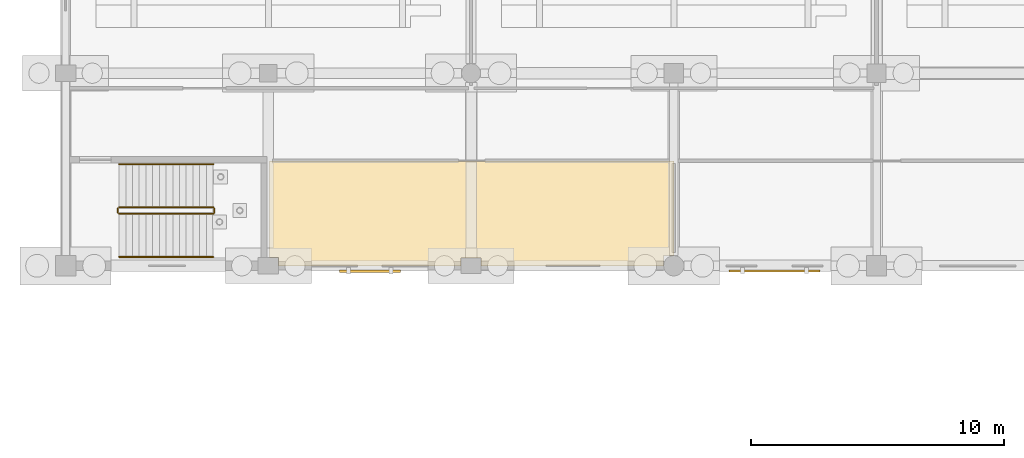
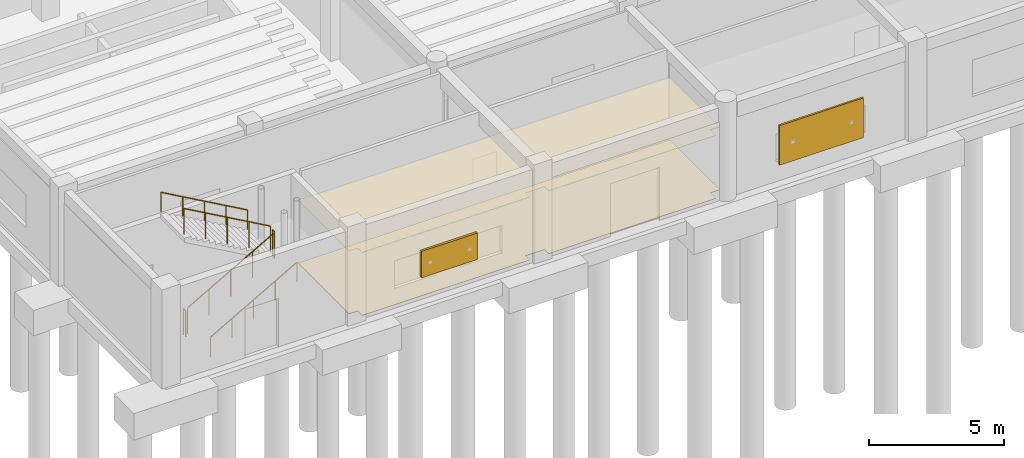
# One storey, part 150 of 166: 6 railings, 2 coverings, 2 shading devices.
"""IFC4 building model written with IfcOpenShell, lengths in metres."""

from ifc_helpers import new_model, si_unit, direction, frame, origin, origin_2d, place, context, subcontext, project, spatial, polyline, rectangle, circle, outline, extrude, material, layer, layer_set, type_object, element, save


model = new_model("IFC4")

# Units and contexts
model_context = context("Model", 3, precision=1e-05, world=origin(), true_north=direction((0.0, 1.0)))
body_context = subcontext(model_context, "Body", "Model", "MODEL_VIEW")
ifc_project = project(units=[si_unit("LENGTHUNIT", "METRE"), si_unit("AREAUNIT", "SQUARE_METRE"), si_unit("VOLUMEUNIT", "CUBIC_METRE"), si_unit("PLANEANGLEUNIT", "RADIAN"), si_unit("MASSUNIT", "GRAM", prefix="KILO")], contexts=[model_context])

# Site, building, storey
site_placement = place(None, origin())
site = spatial("IfcSite", under=ifc_project, at=site_placement, CompositionType="ELEMENT")
building_placement = place(site_placement, origin())
building = spatial("IfcBuilding", under=site, at=building_placement, Name="Kharva Crest Polytechnic", CompositionType="ELEMENT")
storey_placement = place(building_placement, origin())
storey = spatial("IfcBuildingStorey", under=building, at=storey_placement, Name="L00", CompositionType="ELEMENT", Elevation=0.0)

# Coverings
ifc_material_1 = material(Name="Acoustic mineral board")
ifc_layer_1 = layer(ifc_material_1, 0.02490234375, Name="Acoustic mineral board")
ifc_layer_set_1 = layer_set([ifc_layer_1], Name="Acoustic mineral board")
covering_type_1 = type_object("IfcCoveringType", Name="COV-CLG-ACOUSTIC", PredefinedType="CEILING", material=ifc_layer_set_1)
covering_1_placement = place(storey_placement, frame((0.0, 0.0, 2.85009765625)))
element("IfcCovering", 1, at=covering_1_placement, inside=storey, type_object=covering_type_1, Name="L00 Classroom L00-A Acoustic Ceiling", PredefinedType="CEILING", context=body_context, shape_type="SweptSolid", body=[
    extrude(outline(polyline([(24.0, 0.409912109375), (23.590087890625, 0.409912109375), (23.590087890625, 0.0), (16.39990234375, 0.0), (16.39990234375, 0.31005859375), (15.60009765625, 0.31005859375), (15.60009765625, 0.0), (8.409912109375, 0.0), (8.409912109375, 0.3349609375), (8.050048828125, 0.3349609375), (8.050048828125, 4.139892578125), (24.0, 4.139892578125), (24.0, 0.409912109375)])), origin(), (0.0, 0.0, 1.0), 0.02490234375),
])
ifc_material_2 = material(Name="Terrazzo tile")
ifc_layer_2 = layer(ifc_material_2, 0.02001953125, Name="Terrazzo tile")
ifc_layer_set_2 = layer_set([ifc_layer_2], Name="Terrazzo tile")
covering_type_2 = type_object("IfcCoveringType", Name="COV-FLR-TERRAZZO", PredefinedType="FLOORING", material=ifc_layer_set_2)
covering_2_placement = place(storey_placement, origin())
element("IfcCovering", 2, at=covering_2_placement, inside=storey, type_object=covering_type_2, Name="L00 Classroom L00-A Terrazzo Flooring", PredefinedType="FLOORING", context=body_context, shape_type="SweptSolid", body=[
    extrude(outline(polyline([(24.0, 0.409912109375), (23.590087890625, 0.409912109375), (23.590087890625, 0.0), (16.39990234375, 0.0), (16.39990234375, 0.31005859375), (15.60009765625, 0.31005859375), (15.60009765625, 0.0), (8.409912109375, 0.0), (8.409912109375, 0.3349609375), (8.050048828125, 0.3349609375), (8.050048828125, 4.139892578125), (24.0, 4.139892578125), (24.0, 0.409912109375)])), origin(), (0.0, 0.0, 1.0), 0.02001953125),
])

# Railings
ifc_material_3 = material(Name="Anodised aluminium", Category="aluminium")
railing_type_1 = type_object("IfcRailingType", Name="RL-STAIR-GUARD-1200", PredefinedType="GUARDRAIL", material=ifc_material_3)
railing_1_placement = place(storey_placement, frame((2.110107421875, 2.050048828125, 0.14990234375)))
element("IfcRailing", 3, at=railing_1_placement, inside=storey, type_object=railing_type_1, Name="L00 ST-10 stair guard 1", PredefinedType="GUARDRAIL", context=body_context, shape_type="SweptSolid", body=[
    extrude(circle(Radius=0.02392578125, at=origin_2d()), frame((0.0, 0.0, 1.17578125), z_axis=(0.870244811389, 0.0, 0.492619496418), x_axis=(0.0, 1.0, 0.0)), (0.0, 0.0, 1.0), 4.26318359375),
    extrude(circle(Radius=0.02099609375, at=origin_2d()), origin(), (0.0, 0.0, 1.0), 1.15185546875),
    extrude(circle(Radius=0.02099609375, at=origin_2d()), frame((0.927490234375, 0.0, 0.52490234375)), (0.0, 0.0, 1.0), 1.15185546875),
    extrude(circle(Radius=0.02099609375, at=origin_2d()), frame((1.85498046875, 0.0, 1.050048828125)), (0.0, 0.0, 1.0), 1.15185546875),
    extrude(circle(Radius=0.02099609375, at=origin_2d()), frame((2.782470703125, 0.0, 1.5751953125)), (0.0, 0.0, 1.0), 1.15185546875),
    extrude(circle(Radius=0.02099609375, at=origin_2d()), frame((3.7099609375, 0.0, 2.10009765625)), (0.0, 0.0, 1.0), 1.15185546875),
])
railing_2_placement = place(storey_placement, frame((5.8701171875, 2.10009765625, 2.25)))
element("IfcRailing", 4, at=railing_2_placement, inside=storey, type_object=railing_type_1, Name="L00 ST-10 stair guard 2", PredefinedType="GUARDRAIL", context=body_context, shape_type="SweptSolid", body=[
    extrude(circle(Radius=0.02392578125, at=origin_2d()), frame((0.0, 0.0, 1.17578125), z_axis=(0.0, 1.0, 0.0), x_axis=(-1.0, 0.0, 0.0)), (0.0, 0.0, 1.0), 0.159912109375),
    extrude(circle(Radius=0.02099609375, at=origin_2d()), origin(), (0.0, 0.0, 1.0), 1.15185546875),
    extrude(circle(Radius=0.02099609375, at=origin_2d()), frame((0.0, 0.159912109375, 0.0)), (0.0, 0.0, 1.0), 1.15185546875),
])
railing_3_placement = place(storey_placement, frame((5.820068359375, 2.31005859375, 2.39990234375)))
element("IfcRailing", 5, at=railing_3_placement, inside=storey, type_object=railing_type_1, Name="L00 ST-10 stair guard 3", PredefinedType="GUARDRAIL", context=body_context, shape_type="SweptSolid", body=[
    extrude(circle(Radius=0.02392578125, at=origin_2d()), frame((0.0, 0.0, 1.17578125), z_axis=(-0.870244811389, 0.0, 0.492619496418), x_axis=(0.0, -1.0, 0.0)), (0.0, 0.0, 1.0), 4.26318359375),
    extrude(circle(Radius=0.02099609375, at=origin_2d()), origin(), (0.0, 0.0, 1.0), 1.15185546875),
    extrude(circle(Radius=0.02099609375, at=origin_2d()), frame((-0.927490234375, 0.0, 0.52490234375)), (0.0, 0.0, 1.0), 1.15185546875),
    extrude(circle(Radius=0.02099609375, at=origin_2d()), frame((-1.85498046875, 0.0, 1.050048828125)), (0.0, 0.0, 1.0), 1.15185546875),
    extrude(circle(Radius=0.02099609375, at=origin_2d()), frame((-2.782470703125, 0.0, 1.5751953125)), (0.0, 0.0, 1.0), 1.15185546875),
    extrude(circle(Radius=0.02099609375, at=origin_2d()), frame((-3.7099609375, 0.0, 2.10009765625)), (0.0, 0.0, 1.0), 1.15185546875),
])
railing_4_placement = place(storey_placement, frame((2.06005859375, 2.10009765625, 0.0)))
element("IfcRailing", 6, at=railing_4_placement, inside=storey, type_object=railing_type_1, Name="L00 ST-10 stair guard 4", PredefinedType="GUARDRAIL", context=body_context, shape_type="SweptSolid", body=[
    extrude(circle(Radius=0.02392578125, at=origin_2d()), frame((0.0, 0.0, 1.17578125), z_axis=(0.0, 1.0, 0.0), x_axis=(-1.0, 0.0, 0.0)), (0.0, 0.0, 1.0), 0.159912109375),
    extrude(circle(Radius=0.02099609375, at=origin_2d()), origin(), (0.0, 0.0, 1.0), 1.15185546875),
    extrude(circle(Radius=0.02099609375, at=origin_2d()), frame((0.0, 0.159912109375, 0.0)), (0.0, 0.0, 1.0), 1.15185546875),
])
ifc_material_4 = material(Name="Teak timber", Category="wood")
railing_type_2 = type_object("IfcRailingType", Name="RL-STAIR-HAND-900", PredefinedType="HANDRAIL", material=ifc_material_4)
railing_5_placement = place(storey_placement, frame((2.110107421875, 0.35009765625, 0.14990234375)))
element("IfcRailing", 7, at=railing_5_placement, inside=storey, type_object=railing_type_2, Name="L00 ST-10 stair handrail 1", PredefinedType="HANDRAIL", context=body_context, shape_type="SweptSolid", body=[
    extrude(circle(Radius=0.02392578125, at=origin_2d()), frame((0.0, 0.0, 0.8759765625), z_axis=(0.870244811389, 0.0, 0.492619496418), x_axis=(0.0, 1.0, 0.0)), (0.0, 0.0, 1.0), 4.26318359375),
    extrude(circle(Radius=0.02099609375, at=origin_2d()), origin(), (0.0, 0.0, 1.0), 0.851806640625),
    extrude(circle(Radius=0.02099609375, at=origin_2d()), frame((0.927490234375, 0.0, 0.52490234375)), (0.0, 0.0, 1.0), 0.851806640625),
    extrude(circle(Radius=0.02099609375, at=origin_2d()), frame((1.85498046875, 0.0, 1.050048828125)), (0.0, 0.0, 1.0), 0.851806640625),
    extrude(circle(Radius=0.02099609375, at=origin_2d()), frame((2.782470703125, 0.0, 1.5751953125)), (0.0, 0.0, 1.0), 0.851806640625),
    extrude(circle(Radius=0.02099609375, at=origin_2d()), frame((3.7099609375, 0.0, 2.10009765625)), (0.0, 0.0, 1.0), 0.851806640625),
])
railing_6_placement = place(storey_placement, frame((5.820068359375, 4.010009765625, 2.39990234375)))
element("IfcRailing", 8, at=railing_6_placement, inside=storey, type_object=railing_type_2, Name="L00 ST-10 stair handrail 2", PredefinedType="HANDRAIL", context=body_context, shape_type="SweptSolid", body=[
    extrude(circle(Radius=0.02392578125, at=origin_2d()), frame((0.0, 0.0, 0.8759765625), z_axis=(-0.870244811389, 0.0, 0.492619496418), x_axis=(0.0, -1.0, 0.0)), (0.0, 0.0, 1.0), 4.26318359375),
    extrude(circle(Radius=0.02099609375, at=origin_2d()), origin(), (0.0, 0.0, 1.0), 0.851806640625),
    extrude(circle(Radius=0.02099609375, at=origin_2d()), frame((-0.927490234375, 0.0, 0.52490234375)), (0.0, 0.0, 1.0), 0.851806640625),
    extrude(circle(Radius=0.02099609375, at=origin_2d()), frame((-1.85498046875, 0.0, 1.050048828125)), (0.0, 0.0, 1.0), 0.851806640625),
    extrude(circle(Radius=0.02099609375, at=origin_2d()), frame((-2.782470703125, 0.0, 1.5751953125)), (0.0, 0.0, 1.0), 0.851806640625),
    extrude(circle(Radius=0.02099609375, at=origin_2d()), frame((-3.7099609375, 0.0, 2.10009765625)), (0.0, 0.0, 1.0), 0.851806640625),
])

# Shading devices
ifc_material_5 = material(Name="Perforated terracotta", Category="masonry")
shading_device_type_1 = type_object("IfcShadingDeviceType", Name="SHD-JAALI-3600X1800", PredefinedType="USERDEFINED", material=ifc_material_5)
shading_device_1_placement = place(storey_placement, frame((27.970458984375, -0.197998046875, 0.75), z_axis=(0.0, 0.0, 1.0), x_axis=(1.0, 0.0, 0.0)))
element("IfcShadingDevice", 9, at=shading_device_1_placement, inside=storey, type_object=shading_device_type_1, Name="L00 Terracotta Jaali Solar Screen 3", ObjectType="LOUVRE", PredefinedType="USERDEFINED", context=body_context, shape_type="SweptSolid", body=[
    extrude(rectangle(XDim=3.60009765625, YDim=0.080078125, at=origin_2d()), origin(), (0.0, 0.0, 1.0), 1.800048828125),
])
shading_device_type_2 = type_object("IfcShadingDeviceType", Name="SHD-LOUVRE-2400X1200", PredefinedType="USERDEFINED", material=ifc_material_5)
shading_device_2_placement = place(storey_placement, frame((12.0048828125, -0.222900390625, 1.0498046875), z_axis=(0.0, 0.0, 1.0), x_axis=(1.0, 0.0, 0.0)))
element("IfcShadingDevice", 10, at=shading_device_2_placement, inside=storey, type_object=shading_device_type_2, Name="L00 Terracotta Jaali Solar Screen 2", ObjectType="LOUVRE", PredefinedType="USERDEFINED", context=body_context, shape_type="SweptSolid", body=[
    extrude(rectangle(XDim=2.39990234375, YDim=0.10009765625, at=origin_2d()), origin(), (0.0, 0.0, 1.0), 1.199951171875),
])

save(model, "model.ifc")
